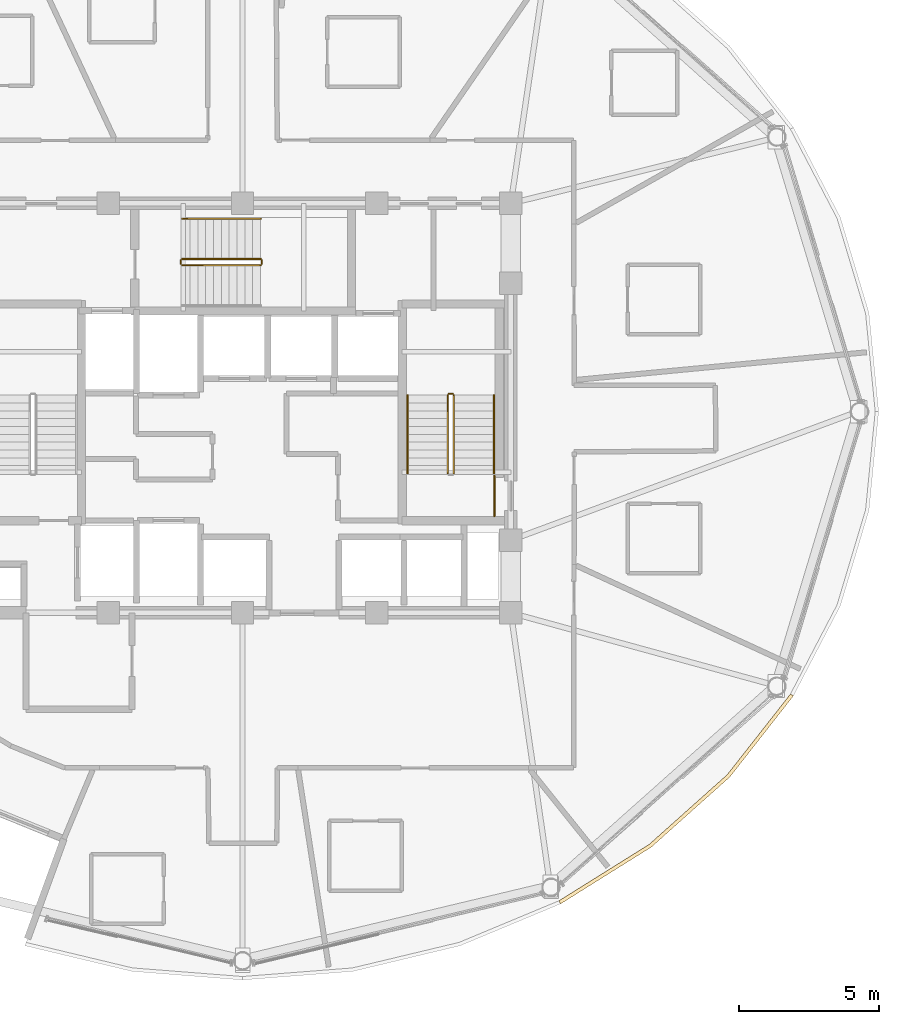
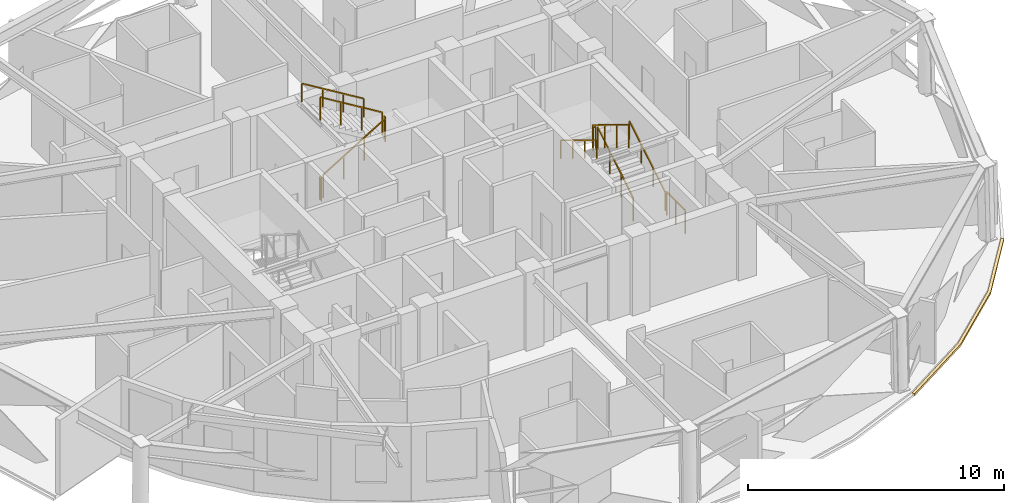
# One storey, part 17 of 18: 11 railings, 1 covering.
"""IFC4 building model written with IfcOpenShell, lengths in metres."""

from ifc_helpers import new_model, si_unit, direction, frame, origin, origin_2d, place, context, subcontext, project, spatial, polyline, rectangle, outline, extrude, material, layer, layer_set, type_object, element, save


model = new_model("IFC4")

# Units and contexts
model_context = context("Model", 3, precision=1e-05, world=origin(), true_north=direction((0.0, 1.0)))
body_context = subcontext(model_context, "Body", "Model", "MODEL_VIEW")
ifc_project = project(units=[si_unit("LENGTHUNIT", "METRE"), si_unit("AREAUNIT", "SQUARE_METRE"), si_unit("VOLUMEUNIT", "CUBIC_METRE"), si_unit("PLANEANGLEUNIT", "RADIAN"), si_unit("MASSUNIT", "GRAM", prefix="KILO")], contexts=[model_context])

# Site, building, storey
site_placement = place(None, origin())
site = spatial("IfcSite", under=ifc_project, at=site_placement, CompositionType="ELEMENT")
building_placement = place(site_placement, origin())
building = spatial("IfcBuilding", under=site, at=building_placement, Name="Vantalir Tower", CompositionType="ELEMENT")
storey_placement = place(building_placement, frame((0.0, 0.0, 216.14990234375)))
storey = spatial("IfcBuildingStorey", under=building, at=storey_placement, Name="L54", CompositionType="ELEMENT", Elevation=216.14990234375)

# Covering
ifc_material_1 = material(Name="Anodised champagne aluminium sill fascia", Category="aluminium")
ifc_layer = layer(ifc_material_1, 0.125)
ifc_layer_set = layer_set([ifc_layer], Name="Anodised champagne aluminium sill fascia")
covering_type = type_object("IfcCoveringType", Name="COV-SLAB-FASCIA-125", PredefinedType="CLADDING", material=ifc_layer_set)
covering_placement = place(storey_placement, frame((0.0, 0.0, -0.179931640625)))
element("IfcCovering", 1, at=covering_placement, inside=storey, type_object=covering_type, Name="L54 Perimeter Slab-Edge Sill Fascia 11", PredefinedType="CLADDING", context=body_context, shape_type="SweptSolid", body=[
    extrude(outline(polyline([(42.881103515625, 7.388916015625), (46.131103515625, 9.422119140625), (48.93701171875, 11.927978515625), (51.2119140625, 14.83203125), (51.10400390625, 14.89404296875), (48.841064453125, 12.009033203125), (46.051025390625, 9.51708984375), (42.819091796875, 7.4970703125), (42.881103515625, 7.388916015625)])), origin(), (0.0, 0.0, 1.0), 0.10498046875),
])

# Railings
ifc_material_2 = material(Name="Anodised aluminium and stainless steel guard", Category="steel")
railing_type_1 = type_object("IfcRailingType", Name="RAL-GUARD-1120", PredefinedType="GUARDRAIL", material=ifc_material_2)
railing_1_placement = place(storey_placement, frame((39.06005859375, 22.7900390625, 0.170654296875)))
element("IfcRailing", 2, at=railing_1_placement, inside=storey, type_object=railing_type_1, Name="L54 ST2 stair guard 1", PredefinedType="GUARDRAIL", context=body_context, shape_type="SweptSolid", body=[
    extrude(rectangle(XDim=0.048095703125, YDim=0.048095703125, at=origin_2d()), frame((0.0, 0.0, 1.09619140625), z_axis=(0.0, 0.854202870247, 0.519939858505), x_axis=(-1.0, 0.0, 0.0)), (0.0, 0.0, 1.0), 3.278076171875),
    extrude(rectangle(XDim=0.0419921875, YDim=0.0419921875, at=origin_2d()), origin(), (0.0, 0.0, 1.0), 1.072021484375),
    extrude(rectangle(XDim=0.0419921875, YDim=0.0419921875, at=origin_2d()), frame((0.0, 0.933349609375, 0.568115234375)), (0.0, 0.0, 1.0), 1.072021484375),
    extrude(rectangle(XDim=0.0419921875, YDim=0.0419921875, at=origin_2d()), frame((0.0, 1.86669921875, 1.13623046875)), (0.0, 0.0, 1.0), 1.072021484375),
    extrude(rectangle(XDim=0.0419921875, YDim=0.0419921875, at=origin_2d()), frame((0.0, 2.800048828125, 1.704345703125)), (0.0, 0.0, 1.0), 1.072021484375),
])
railing_2_placement = place(storey_placement, frame((39.010009765625, 25.639892578125, 1.875)))
element("IfcRailing", 3, at=railing_2_placement, inside=storey, type_object=railing_type_1, Name="L54 ST2 stair guard 2", PredefinedType="GUARDRAIL", context=body_context, shape_type="SweptSolid", body=[
    extrude(rectangle(XDim=0.048095703125, YDim=0.048095703125, at=origin_2d()), frame((0.0, 0.0, 1.09619140625), z_axis=(-1.0, 0.0, 0.0), x_axis=(0.0, -1.0, 0.0)), (0.0, 0.0, 1.0), 0.1201171875),
    extrude(rectangle(XDim=0.0419921875, YDim=0.0419921875, at=origin_2d()), origin(), (0.0, 0.0, 1.0), 1.072021484375),
    extrude(rectangle(XDim=0.0419921875, YDim=0.0419921875, at=origin_2d()), frame((-0.1201171875, 0.0, 0.0)), (0.0, 0.0, 1.0), 1.072021484375),
])
railing_3_placement = place(storey_placement, frame((38.840087890625, 25.590087890625, 2.045654296875)))
element("IfcRailing", 4, at=railing_3_placement, inside=storey, type_object=railing_type_1, Name="L54 ST2 stair guard 3", PredefinedType="GUARDRAIL", context=body_context, shape_type="SweptSolid", body=[
    extrude(rectangle(XDim=0.048095703125, YDim=0.048095703125, at=origin_2d()), frame((0.0, 0.0, 1.09619140625), z_axis=(0.0, -0.854202870247, 0.519939858505), x_axis=(1.0, 0.0, 0.0)), (0.0, 0.0, 1.0), 3.278076171875),
    extrude(rectangle(XDim=0.0419921875, YDim=0.0419921875, at=origin_2d()), origin(), (0.0, 0.0, 1.0), 1.072021484375),
    extrude(rectangle(XDim=0.0419921875, YDim=0.0419921875, at=origin_2d()), frame((0.0, -0.933349609375, 0.568115234375)), (0.0, 0.0, 1.0), 1.072021484375),
    extrude(rectangle(XDim=0.0419921875, YDim=0.0419921875, at=origin_2d()), frame((0.0, -1.86669921875, 1.13623046875)), (0.0, 0.0, 1.0), 1.072021484375),
    extrude(rectangle(XDim=0.0419921875, YDim=0.0419921875, at=origin_2d()), frame((0.0, -2.800048828125, 1.704345703125)), (0.0, 0.0, 1.0), 1.072021484375),
])
railing_4_placement = place(storey_placement, frame((29.340087890625, 30.239990234375, 0.170654296875)))
element("IfcRailing", 5, at=railing_4_placement, inside=storey, type_object=railing_type_1, Name="L54 ST3 stair guard 1", PredefinedType="GUARDRAIL", context=body_context, shape_type="SweptSolid", body=[
    extrude(rectangle(XDim=0.048095703125, YDim=0.048095703125, at=origin_2d()), frame((0.0, 0.0, 1.09619140625), z_axis=(0.854182733786, 0.0, 0.519972939009), x_axis=(0.0, 1.0, 0.0)), (0.0, 0.0, 1.0), 3.27783203125),
    extrude(rectangle(XDim=0.0419921875, YDim=0.0419921875, at=origin_2d()), origin(), (0.0, 0.0, 1.0), 1.072021484375),
    extrude(rectangle(XDim=0.0419921875, YDim=0.0419921875, at=origin_2d()), frame((0.933349609375, 0.0, 0.568115234375)), (0.0, 0.0, 1.0), 1.072021484375),
    extrude(rectangle(XDim=0.0419921875, YDim=0.0419921875, at=origin_2d()), frame((1.866455078125, 0.0, 1.13623046875)), (0.0, 0.0, 1.0), 1.072021484375),
    extrude(rectangle(XDim=0.0419921875, YDim=0.0419921875, at=origin_2d()), frame((2.7998046875, 0.0, 1.704345703125)), (0.0, 0.0, 1.0), 1.072021484375),
])
railing_5_placement = place(storey_placement, frame((32.18994140625, 30.2900390625, 1.875)))
element("IfcRailing", 6, at=railing_5_placement, inside=storey, type_object=railing_type_1, Name="L54 ST3 stair guard 2", PredefinedType="GUARDRAIL", context=body_context, shape_type="SweptSolid", body=[
    extrude(rectangle(XDim=0.048095703125, YDim=0.048095703125, at=origin_2d()), frame((0.0, 0.0, 1.09619140625), z_axis=(0.0, 1.0, 0.0), x_axis=(-1.0, 0.0, 0.0)), (0.0, 0.0, 1.0), 0.119873046875),
    extrude(rectangle(XDim=0.0419921875, YDim=0.0419921875, at=origin_2d()), origin(), (0.0, 0.0, 1.0), 1.072021484375),
    extrude(rectangle(XDim=0.0419921875, YDim=0.0419921875, at=origin_2d()), frame((0.0, 0.119873046875, 0.0)), (0.0, 0.0, 1.0), 1.072021484375),
])
railing_6_placement = place(storey_placement, frame((32.139892578125, 30.4599609375, 2.045654296875)))
element("IfcRailing", 7, at=railing_6_placement, inside=storey, type_object=railing_type_1, Name="L54 ST3 stair guard 3", PredefinedType="GUARDRAIL", context=body_context, shape_type="SweptSolid", body=[
    extrude(rectangle(XDim=0.048095703125, YDim=0.048095703125, at=origin_2d()), frame((0.0, 0.0, 1.09619140625), z_axis=(-0.854182733786, 0.0, 0.519972939009), x_axis=(0.0, -1.0, 0.0)), (0.0, 0.0, 1.0), 3.27783203125),
    extrude(rectangle(XDim=0.0419921875, YDim=0.0419921875, at=origin_2d()), origin(), (0.0, 0.0, 1.0), 1.072021484375),
    extrude(rectangle(XDim=0.0419921875, YDim=0.0419921875, at=origin_2d()), frame((-0.933349609375, 0.0, 0.568115234375)), (0.0, 0.0, 1.0), 1.072021484375),
    extrude(rectangle(XDim=0.0419921875, YDim=0.0419921875, at=origin_2d()), frame((-1.866455078125, 0.0, 1.13623046875)), (0.0, 0.0, 1.0), 1.072021484375),
    extrude(rectangle(XDim=0.0419921875, YDim=0.0419921875, at=origin_2d()), frame((-2.7998046875, 0.0, 1.704345703125)), (0.0, 0.0, 1.0), 1.072021484375),
])
railing_7_placement = place(storey_placement, frame((29.2900390625, 30.2900390625, 0.0)))
element("IfcRailing", 8, at=railing_7_placement, inside=storey, type_object=railing_type_1, Name="L54 ST3 stair guard 4", PredefinedType="GUARDRAIL", context=body_context, shape_type="SweptSolid", body=[
    extrude(rectangle(XDim=0.048095703125, YDim=0.048095703125, at=origin_2d()), frame((0.0, 0.0, 1.09619140625), z_axis=(0.0, 1.0, 0.0), x_axis=(-1.0, 0.0, 0.0)), (0.0, 0.0, 1.0), 0.119873046875),
    extrude(rectangle(XDim=0.0419921875, YDim=0.0419921875, at=origin_2d()), origin(), (0.0, 0.0, 1.0), 1.072021484375),
    extrude(rectangle(XDim=0.0419921875, YDim=0.0419921875, at=origin_2d()), frame((0.0, 0.119873046875, 0.0)), (0.0, 0.0, 1.0), 1.072021484375),
])
railing_8_placement = place(storey_placement, frame((40.510009765625, 21.260009765625, 0.0)))
element("IfcRailing", 9, at=railing_8_placement, inside=storey, type_object=railing_type_1, Name="L54 Stair ST2 Doorway Landing Guard", PredefinedType="GUARDRAIL", context=body_context, shape_type="SweptSolid", body=[
    extrude(rectangle(XDim=0.048095703125, YDim=0.048095703125, at=origin_2d()), frame((0.0, 0.0, 1.1259765625), z_axis=(0.0, 1.0, 0.0), x_axis=(-1.0, 0.0, 0.0)), (0.0, 0.0, 1.0), 1.43994140625),
    extrude(rectangle(XDim=0.0419921875, YDim=0.0419921875, at=origin_2d()), origin(), (0.0, 0.0, 1.0), 1.101806640625),
    extrude(rectangle(XDim=0.0419921875, YDim=0.0419921875, at=origin_2d()), frame((0.0, 0.719970703125, 0.0)), (0.0, 0.0, 1.0), 1.101806640625),
    extrude(rectangle(XDim=0.0419921875, YDim=0.0419921875, at=origin_2d()), frame((0.0, 1.43994140625, 0.0)), (0.0, 0.0, 1.0), 1.101806640625),
])
ifc_material_3 = material(Name="Brushed stainless steel tubular handrail", Category="steel")
railing_type_2 = type_object("IfcRailingType", Name="RAL-HANDRAIL-900", PredefinedType="HANDRAIL", material=ifc_material_3)
railing_9_placement = place(storey_placement, frame((40.5, 22.7900390625, 0.170654296875)))
element("IfcRailing", 10, at=railing_9_placement, inside=storey, type_object=railing_type_2, Name="L54 ST2 stair handrail 1", PredefinedType="HANDRAIL", context=body_context, shape_type="SweptSolid", body=[
    extrude(rectangle(XDim=0.048095703125, YDim=0.048095703125, at=origin_2d()), frame((0.0, 0.0, 0.8759765625), z_axis=(0.0, 0.854202870247, 0.519939858505), x_axis=(-1.0, 0.0, 0.0)), (0.0, 0.0, 1.0), 3.278076171875),
    extrude(rectangle(XDim=0.0419921875, YDim=0.0419921875, at=origin_2d()), origin(), (0.0, 0.0, 1.0), 0.851806640625),
    extrude(rectangle(XDim=0.0419921875, YDim=0.0419921875, at=origin_2d()), frame((0.0, 0.933349609375, 0.568115234375)), (0.0, 0.0, 1.0), 0.851806640625),
    extrude(rectangle(XDim=0.0419921875, YDim=0.0419921875, at=origin_2d()), frame((0.0, 1.86669921875, 1.13623046875)), (0.0, 0.0, 1.0), 0.851806640625),
    extrude(rectangle(XDim=0.0419921875, YDim=0.0419921875, at=origin_2d()), frame((0.0, 2.800048828125, 1.704345703125)), (0.0, 0.0, 1.0), 0.851806640625),
])
railing_10_placement = place(storey_placement, frame((37.39990234375, 25.590087890625, 2.045654296875)))
element("IfcRailing", 11, at=railing_10_placement, inside=storey, type_object=railing_type_2, Name="L54 ST2 stair handrail 2", PredefinedType="HANDRAIL", context=body_context, shape_type="SweptSolid", body=[
    extrude(rectangle(XDim=0.048095703125, YDim=0.048095703125, at=origin_2d()), frame((0.0, 0.0, 0.8759765625), z_axis=(0.0, -0.854202870247, 0.519939858505), x_axis=(1.0, 0.0, 0.0)), (0.0, 0.0, 1.0), 3.278076171875),
    extrude(rectangle(XDim=0.0419921875, YDim=0.0419921875, at=origin_2d()), origin(), (0.0, 0.0, 1.0), 0.851806640625),
    extrude(rectangle(XDim=0.0419921875, YDim=0.0419921875, at=origin_2d()), frame((0.0, -0.933349609375, 0.568115234375)), (0.0, 0.0, 1.0), 0.851806640625),
    extrude(rectangle(XDim=0.0419921875, YDim=0.0419921875, at=origin_2d()), frame((0.0, -1.86669921875, 1.13623046875)), (0.0, 0.0, 1.0), 0.851806640625),
    extrude(rectangle(XDim=0.0419921875, YDim=0.0419921875, at=origin_2d()), frame((0.0, -2.800048828125, 1.704345703125)), (0.0, 0.0, 1.0), 0.851806640625),
])
railing_11_placement = place(storey_placement, frame((32.139892578125, 31.89990234375, 2.045654296875)))
element("IfcRailing", 12, at=railing_11_placement, inside=storey, type_object=railing_type_2, Name="L54 ST3 stair handrail 2", PredefinedType="HANDRAIL", context=body_context, shape_type="SweptSolid", body=[
    extrude(rectangle(XDim=0.048095703125, YDim=0.048095703125, at=origin_2d()), frame((0.0, 0.0, 0.8759765625), z_axis=(-0.854182733786, 0.0, 0.519972939009), x_axis=(0.0, -1.0, 0.0)), (0.0, 0.0, 1.0), 3.27783203125),
    extrude(rectangle(XDim=0.0419921875, YDim=0.0419921875, at=origin_2d()), origin(), (0.0, 0.0, 1.0), 0.851806640625),
    extrude(rectangle(XDim=0.0419921875, YDim=0.0419921875, at=origin_2d()), frame((-0.933349609375, 0.0, 0.568115234375)), (0.0, 0.0, 1.0), 0.851806640625),
    extrude(rectangle(XDim=0.0419921875, YDim=0.0419921875, at=origin_2d()), frame((-1.866455078125, 0.0, 1.13623046875)), (0.0, 0.0, 1.0), 0.851806640625),
    extrude(rectangle(XDim=0.0419921875, YDim=0.0419921875, at=origin_2d()), frame((-2.7998046875, 0.0, 1.704345703125)), (0.0, 0.0, 1.0), 0.851806640625),
])

save(model, "model.ifc")
